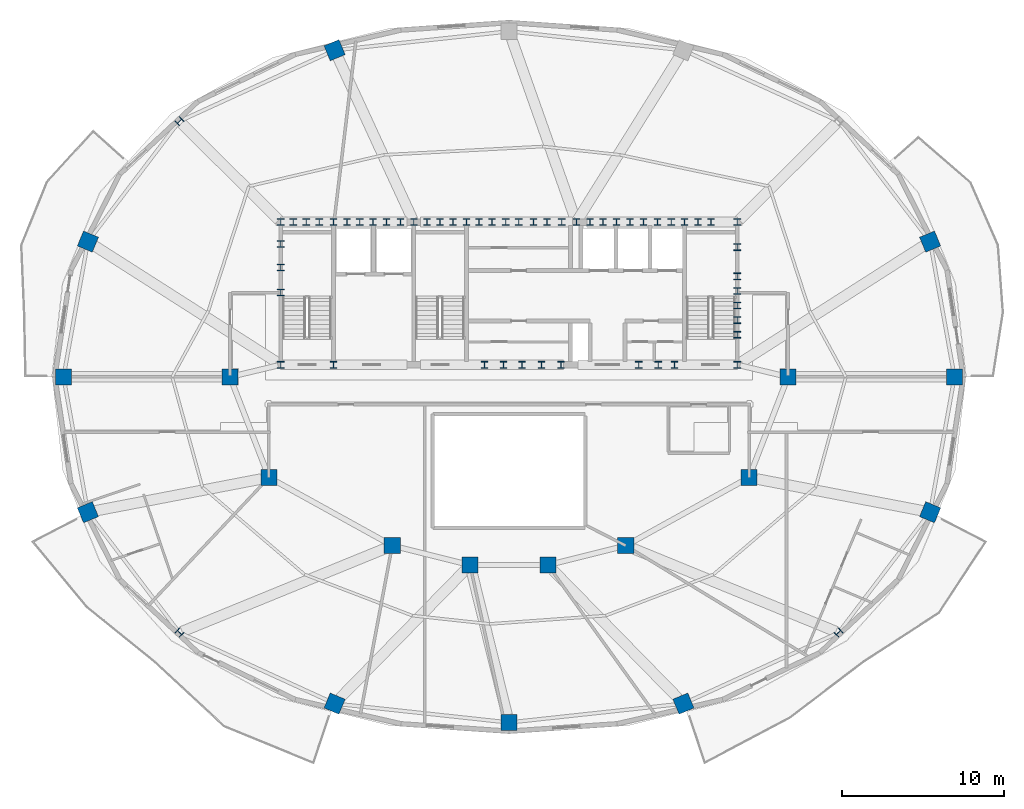
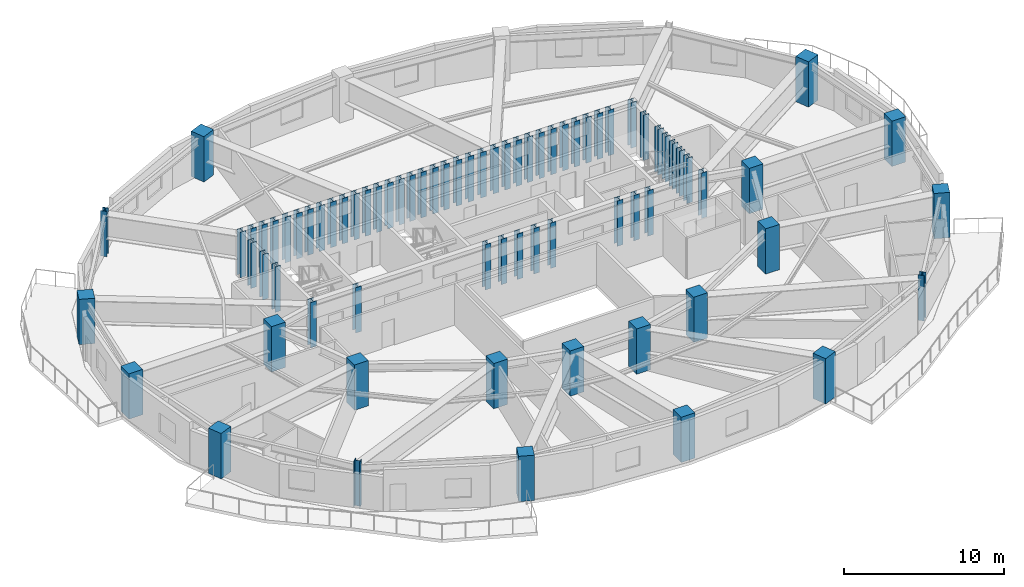
# One storey, part 1 of 12: 75 columns.
"""IFC4 building model written with IfcOpenShell, lengths in metres."""

from ifc_helpers import new_model, si_unit, direction, frame, origin, origin_2d, place, context, subcontext, project, spatial, rectangle, i_section, extrude, material, material_profile, profile_set, type_object, element, save


model = new_model("IFC4")

# Units and contexts
model_context = context("Model", 3, precision=1e-05, world=origin(), true_north=direction((0.0, 1.0)))
body_context = subcontext(model_context, "Body", "Model", "MODEL_VIEW")
ifc_project = project(units=[si_unit("LENGTHUNIT", "METRE"), si_unit("AREAUNIT", "SQUARE_METRE"), si_unit("VOLUMEUNIT", "CUBIC_METRE"), si_unit("PLANEANGLEUNIT", "RADIAN"), si_unit("MASSUNIT", "GRAM", prefix="KILO")], contexts=[model_context])

# Site, building, storey
site_placement = place(None, origin())
site = spatial("IfcSite", under=ifc_project, at=site_placement, CompositionType="ELEMENT")
building_placement = place(site_placement, origin())
building = spatial("IfcBuilding", under=site, at=building_placement, Name="Haldorwick Loom Tower", CompositionType="ELEMENT")
storey_placement = place(building_placement, frame((0.0, 0.0, 237.449951171875)))
storey = spatial("IfcBuildingStorey", under=building, at=storey_placement, Name="L64", CompositionType="ELEMENT", Elevation=237.449951171875)

# Columns
ifc_material_1 = material(Name="Concrete C60 (60 MPa)", Category="concrete")
ifc_material_profile_1 = material_profile(ifc_material_1, rectangle(XDim=1.0, YDim=1.0, at=origin_2d()), Name="RC1000X1000", Category="concrete")
ifc_profile_set_1 = profile_set([ifc_material_profile_1], Name="Concrete C60 (60 MPa)")
column_type_1 = type_object("IfcColumnType", Name="STR-COL-RC1000", PredefinedType="COLUMN", material=ifc_profile_set_1)
for number, where, z_axis, x_axis, name in (
    (1, (53.199951171875, 26.0, 0.0), (0.0, 0.0, 1.0), (1.0, 0.0, 0.0), "L64 Inner Column IC-01"),
    (2, (50.800048828125, 19.800048828125, 0.0), (0.0, 0.0, 1.0), (1.0, 0.0, 0.0), "L64 Inner Column IC-02"),
    (3, (43.199951171875, 15.60009765625, 0.0), (0.0, 0.0, 1.0), (1.0, 0.0, 0.0), "L64 Inner Column IC-03"),
    (4, (38.39990234375, 14.39990234375, 0.0), (0.0, 0.0, 1.0), (1.0, 0.0, 0.0), "L64 Inner Column IC-04"),
    (5, (33.60009765625, 14.39990234375, 0.0), (0.0, 0.0, 1.0), (1.0, 0.0, 0.0), "L64 Inner Column IC-05"),
    (6, (28.800048828125, 15.60009765625, 0.0), (0.0, 0.0, 1.0), (1.0, 0.0, 0.0), "L64 Inner Column IC-06"),
    (7, (21.199951171875, 19.800048828125, 0.0), (0.0, 0.0, 1.0), (1.0, 0.0, 0.0), "L64 Inner Column IC-07"),
    (8, (18.800048828125, 26.0, 0.0), (0.0, 0.0, 1.0), (1.0, 0.0, 0.0), "L64 Inner Column IC-08"),
    (9, (63.46630859375, 26.0, 0.0), (0.0, 0.0, 1.0), (1.0, 0.0, 0.0), "L64 Perimeter Pier Column P01"),
    (10, (61.9609375, 34.342529296875, 0.0), (0.0, 0.0, 1.0), (0.923879532511, 0.382683432365, 0.0), "L64 Perimeter Pier Column P02"),
    (11, (25.24658203125, 46.140625, 0.0), (0.0, 0.0, 1.0), (-0.382683432365, 0.923879532511, 0.0), "L64 Perimeter Pier Column P06"),
    (12, (10.0390625, 34.342529296875, 0.0), (0.0, 0.0, 1.0), (-0.923879532511, 0.382683432365, 0.0), "L64 Perimeter Pier Column P08"),
    (13, (8.53369140625, 26.0, 0.0), (0.0, 0.0, 1.0), (-1.0, 0.0, 0.0), "L64 Perimeter Pier Column P09"),
    (14, (10.0390625, 17.657470703125, 0.0), (0.0, 0.0, 1.0), (-0.923879532511, -0.382683432365, 0.0), "L64 Perimeter Pier Column P10"),
    (15, (25.24658203125, 5.859375, 0.0), (0.0, 0.0, 1.0), (-0.382683432365, -0.923879532511, 0.0), "L64 Perimeter Pier Column P12"),
    (16, (36.0, 4.695068359375, 0.0), (0.0, 0.0, 1.0), (0.0, -1.0, 0.0), "L64 Perimeter Pier Column P13"),
    (17, (46.75341796875, 5.859375, 0.0), (0.0, 0.0, 1.0), (0.382683432365, -0.923879532511, 0.0), "L64 Perimeter Pier Column P14"),
    (18, (61.9609375, 17.657470703125, 0.0), (0.0, 0.0, 1.0), (0.923879532511, -0.382683432365, 0.0), "L64 Perimeter Pier Column P16"),
):
    element("IfcColumn", number, at=place(storey_placement, frame(where, z_axis=z_axis, x_axis=x_axis)), inside=storey, type_object=column_type_1, Name=name, PredefinedType="COLUMN", context=body_context, shape_type="SweptSolid", body=[
        extrude(rectangle(XDim=1.0, YDim=1.0, at=origin_2d()), origin(), (0.0, 0.0, 1.0), 3.449951171875),
    ])
ifc_material_2 = material(Name="Steel CSA G40.21 350W", Category="steel")
ifc_material_profile_2 = material_profile(ifc_material_2, i_section(OverallWidth=0.406005859375, OverallDepth=0.416015625, WebThickness=0.024169921875, FlangeThickness=0.03857421875, at=origin_2d()), Name="W360X382", Category="steel")
ifc_profile_set_2 = profile_set([ifc_material_profile_2], Name="Steel CSA G40.21 350W")
column_type_2 = type_object("IfcColumnType", Name="STR-COL-W360X382", PredefinedType="COLUMN", material=ifc_profile_set_2)
for number, where, z_axis, x_axis, name in (
    (19, (21.929931640625, 35.550048828125, 0.0), (0.0, 0.0, 1.0), (1.0, 0.0, 0.0), "L64 Core Pilaster CB-01"),
    (20, (23.5, 35.550048828125, 0.0), (0.0, 0.0, 1.0), (1.0, 0.0, 0.0), "L64 Core Pilaster CB-02"),
    (21, (25.169921875, 35.550048828125, 0.0), (0.0, 0.0, 1.0), (1.0, 0.0, 0.0), "L64 Core Pilaster CB-03"),
    (22, (26.800048828125, 35.550048828125, 0.0), (0.0, 0.0, 1.0), (1.0, 0.0, 0.0), "L64 Core Pilaster CB-04"),
    (23, (28.449951171875, 35.550048828125, 0.0), (0.0, 0.0, 1.0), (1.0, 0.0, 0.0), "L64 Core Pilaster CB-05"),
    (24, (30.1298828125, 35.550048828125, 0.0), (0.0, 0.0, 1.0), (1.0, 0.0, 0.0), "L64 Core Pilaster CB-06"),
    (25, (31.75, 35.550048828125, 0.0), (0.0, 0.0, 1.0), (1.0, 0.0, 0.0), "L64 Core Pilaster CB-07"),
    (26, (33.3701171875, 35.550048828125, 0.0), (0.0, 0.0, 1.0), (1.0, 0.0, 0.0), "L64 Core Pilaster CB-08"),
    (27, (34.949951171875, 35.550048828125, 0.0), (0.0, 0.0, 1.0), (1.0, 0.0, 0.0), "L64 Core Pilaster CB-09"),
    (28, (36.60009765625, 35.550048828125, 0.0), (0.0, 0.0, 1.0), (1.0, 0.0, 0.0), "L64 Core Pilaster CB-10"),
    (29, (38.35009765625, 35.550048828125, 0.0), (0.0, 0.0, 1.0), (1.0, 0.0, 0.0), "L64 Core Pilaster CB-11"),
    (30, (40.14990234375, 35.550048828125, 0.0), (0.0, 0.0, 1.0), (1.0, 0.0, 0.0), "L64 Core Pilaster CB-12"),
    (31, (41.800048828125, 35.550048828125, 0.0), (0.0, 0.0, 1.0), (1.0, 0.0, 0.0), "L64 Core Pilaster CB-13"),
    (32, (43.449951171875, 35.550048828125, 0.0), (0.0, 0.0, 1.0), (1.0, 0.0, 0.0), "L64 Core Pilaster CB-14"),
    (33, (45.14990234375, 35.550048828125, 0.0), (0.0, 0.0, 1.0), (1.0, 0.0, 0.0), "L64 Core Pilaster CB-15"),
    (34, (46.830078125, 35.550048828125, 0.0), (0.0, 0.0, 1.0), (1.0, 0.0, 0.0), "L64 Core Pilaster CB-16"),
    (35, (48.449951171875, 35.550048828125, 0.0), (0.0, 0.0, 1.0), (1.0, 0.0, 0.0), "L64 Core Pilaster CB-17"),
    (36, (50.070068359375, 35.550048828125, 0.0), (0.0, 0.0, 1.0), (1.0, 0.0, 0.0), "L64 Core Pilaster CB-18"),
    (37, (21.929931640625, 26.75, 0.0), (0.0, 0.0, 1.0), (1.0, 0.0, 0.0), "L64 Core Pilaster CB-19"),
    (38, (25.169921875, 26.75, 0.0), (0.0, 0.0, 1.0), (1.0, 0.0, 0.0), "L64 Core Pilaster CB-20"),
    (39, (34.5, 26.75, 0.0), (0.0, 0.0, 1.0), (1.0, 0.0, 0.0), "L64 Core Pilaster CB-21"),
    (40, (36.800048828125, 26.75, 0.0), (0.0, 0.0, 1.0), (1.0, 0.0, 0.0), "L64 Core Pilaster CB-22"),
    (41, (39.199951171875, 26.75, 0.0), (0.0, 0.0, 1.0), (1.0, 0.0, 0.0), "L64 Core Pilaster CB-23"),
    (42, (45.199951171875, 26.75, 0.0), (0.0, 0.0, 1.0), (1.0, 0.0, 0.0), "L64 Core Pilaster CB-24"),
    (43, (50.070068359375, 26.75, 0.0), (0.0, 0.0, 1.0), (1.0, 0.0, 0.0), "L64 Core Pilaster CB-25"),
    (44, (21.929931640625, 31.199951171875, 0.0), (0.0, 0.0, 1.0), (1.0, 0.0, 0.0), "L64 Core Pilaster CB-26"),
    (45, (21.929931640625, 32.75, 0.0), (0.0, 0.0, 1.0), (1.0, 0.0, 0.0), "L64 Core Pilaster CB-27"),
    (46, (21.929931640625, 34.199951171875, 0.0), (0.0, 0.0, 1.0), (1.0, 0.0, 0.0), "L64 Core Pilaster CB-28"),
    (47, (50.070068359375, 28.60009765625, 0.0), (0.0, 0.0, 1.0), (1.0, 0.0, 0.0), "L64 Core Pilaster CB-29"),
    (48, (50.070068359375, 30.39990234375, 0.0), (0.0, 0.0, 1.0), (1.0, 0.0, 0.0), "L64 Core Pilaster CB-30"),
    (49, (50.070068359375, 32.199951171875, 0.0), (0.0, 0.0, 1.0), (1.0, 0.0, 0.0), "L64 Core Pilaster CB-31"),
    (50, (50.070068359375, 34.0, 0.0), (0.0, 0.0, 1.0), (1.0, 0.0, 0.0), "L64 Core Pilaster CB-32"),
    (51, (22.699951171875, 35.550048828125, 0.0), (0.0, 0.0, 1.0), (1.0, 0.0, 0.0), "L64 Core Pilaster CB-33"),
    (52, (27.6201171875, 35.550048828125, 0.0), (0.0, 0.0, 1.0), (1.0, 0.0, 0.0), "L64 Core Pilaster CB-34"),
    (53, (32.550048828125, 35.550048828125, 0.0), (0.0, 0.0, 1.0), (1.0, 0.0, 0.0), "L64 Core Pilaster CB-35"),
    (54, (37.5, 35.550048828125, 0.0), (0.0, 0.0, 1.0), (1.0, 0.0, 0.0), "L64 Core Pilaster CB-36"),
    (55, (42.6201171875, 35.550048828125, 0.0), (0.0, 0.0, 1.0), (1.0, 0.0, 0.0), "L64 Core Pilaster CB-37"),
    (56, (47.64990234375, 35.550048828125, 0.0), (0.0, 0.0, 1.0), (1.0, 0.0, 0.0), "L64 Core Pilaster CB-38"),
    (57, (24.300048828125, 35.550048828125, 0.0), (0.0, 0.0, 1.0), (1.0, 0.0, 0.0), "L64 Core Pilaster CB-39"),
    (58, (26.0, 35.550048828125, 0.0), (0.0, 0.0, 1.0), (1.0, 0.0, 0.0), "L64 Core Pilaster CB-40"),
    (59, (29.300048828125, 35.550048828125, 0.0), (0.0, 0.0, 1.0), (1.0, 0.0, 0.0), "L64 Core Pilaster CB-41"),
    (60, (30.949951171875, 35.550048828125, 0.0), (0.0, 0.0, 1.0), (1.0, 0.0, 0.0), "L64 Core Pilaster CB-42"),
    (61, (34.14990234375, 35.550048828125, 0.0), (0.0, 0.0, 1.0), (1.0, 0.0, 0.0), "L64 Core Pilaster CB-43"),
    (62, (35.800048828125, 35.550048828125, 0.0), (0.0, 0.0, 1.0), (1.0, 0.0, 0.0), "L64 Core Pilaster CB-44"),
    (63, (39.25, 35.550048828125, 0.0), (0.0, 0.0, 1.0), (1.0, 0.0, 0.0), "L64 Core Pilaster CB-45"),
    (64, (41.0, 35.550048828125, 0.0), (0.0, 0.0, 1.0), (1.0, 0.0, 0.0), "L64 Core Pilaster CB-46"),
    (65, (44.300048828125, 35.550048828125, 0.0), (0.0, 0.0, 1.0), (1.0, 0.0, 0.0), "L64 Core Pilaster CB-47"),
    (66, (46.0, 35.550048828125, 0.0), (0.0, 0.0, 1.0), (1.0, 0.0, 0.0), "L64 Core Pilaster CB-48"),
    (67, (50.070068359375, 29.5, 0.0), (0.0, 0.0, 1.0), (1.0, 0.0, 0.0), "L64 Core Pilaster CB-49"),
    (68, (50.070068359375, 31.300048828125, 0.0), (0.0, 0.0, 1.0), (1.0, 0.0, 0.0), "L64 Core Pilaster CB-50"),
    (69, (35.64990234375, 26.75, 0.0), (0.0, 0.0, 1.0), (1.0, 0.0, 0.0), "L64 Core Pilaster CB-51"),
    (70, (38.0, 26.75, 0.0), (0.0, 0.0, 1.0), (1.0, 0.0, 0.0), "L64 Core Pilaster CB-52"),
    (71, (44.0, 26.75, 0.0), (0.0, 0.0, 1.0), (1.0, 0.0, 0.0), "L64 Core Pilaster CB-53"),
    (72, (46.199951171875, 26.75, 0.0), (0.0, 0.0, 1.0), (1.0, 0.0, 0.0), "L64 Core Pilaster CB-54"),
    (73, (15.682373046875, 41.764892578125, 0.0), (0.0, 0.0, 1.0), (-0.707106781187, 0.707106781187, 0.0), "L64 Perimeter Pier Column P07"),
    (74, (15.682373046875, 10.235107421875, 0.0), (0.0, 0.0, 1.0), (-0.707106781187, -0.707106781187, 0.0), "L64 Perimeter Pier Column P11"),
    (75, (56.317626953125, 10.235107421875, 0.0), (0.0, 0.0, 1.0), (0.707106781187, -0.707106781187, 0.0), "L64 Perimeter Pier Column P15"),
):
    element("IfcColumn", number, at=place(storey_placement, frame(where, z_axis=z_axis, x_axis=x_axis)), inside=storey, type_object=column_type_2, Name=name, PredefinedType="COLUMN", context=body_context, shape_type="SweptSolid", body=[
        extrude(i_section(OverallWidth=0.406005859375, OverallDepth=0.416015625, WebThickness=0.024169921875, FlangeThickness=0.03857421875, at=origin_2d()), origin(), (0.0, 0.0, 1.0), 3.449951171875),
    ])

save(model, "model.ifc")
